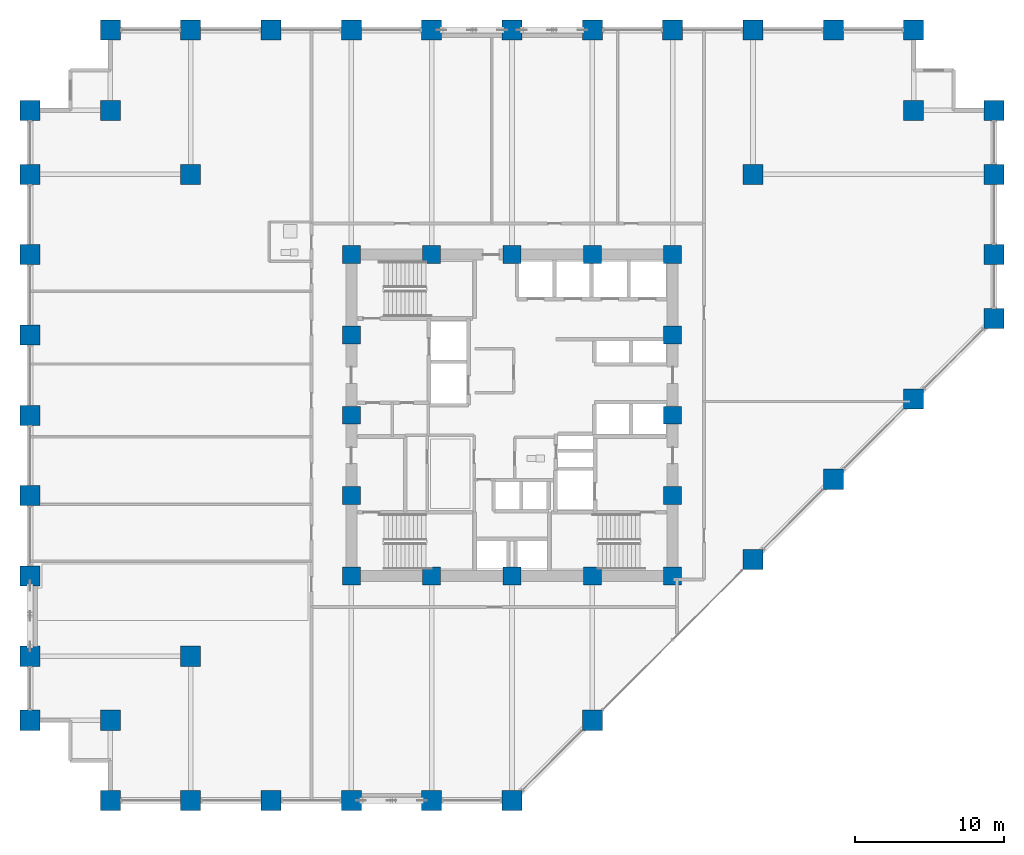
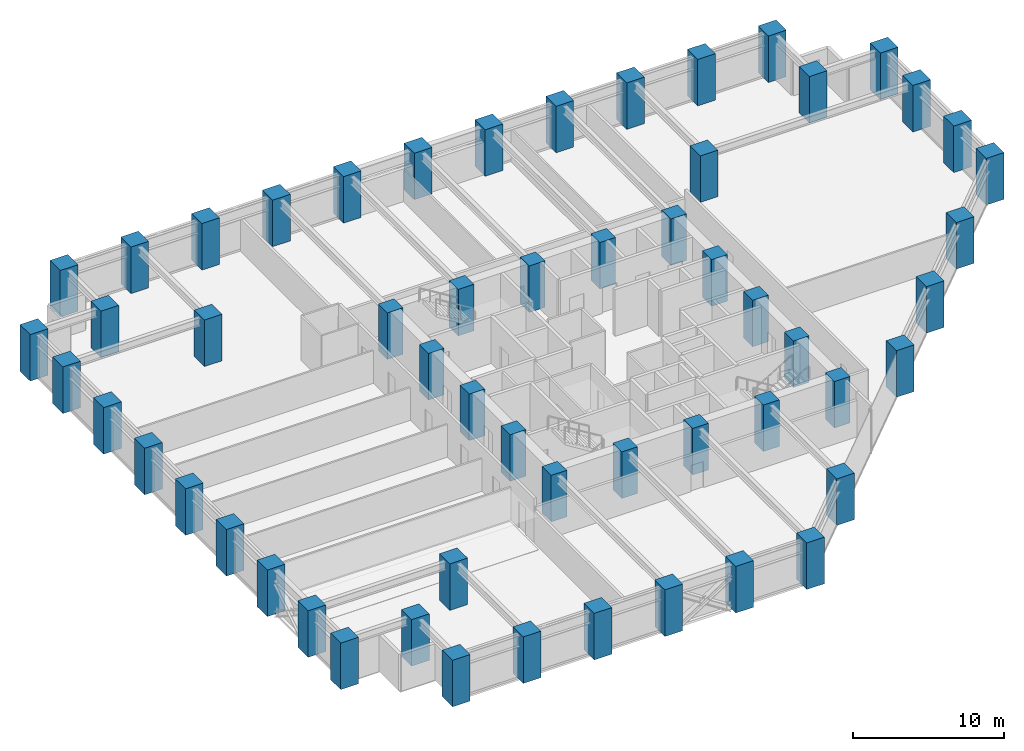
# One storey, part 1 of 25: 56 columns.
"""IFC4 building model written with IfcOpenShell, lengths in metres."""

from ifc_helpers import new_model, si_unit, direction, frame, origin, origin_2d, place, context, subcontext, project, spatial, rectangle, extrude, material, material_profile, profile_set, type_object, element, save


model = new_model("IFC4")

# Units and contexts
model_context = context("Model", 3, precision=1e-05, world=origin(), true_north=direction((0.0, 1.0)))
body_context = subcontext(model_context, "Body", "Model", "MODEL_VIEW")
ifc_project = project(units=[si_unit("LENGTHUNIT", "METRE"), si_unit("AREAUNIT", "SQUARE_METRE"), si_unit("VOLUMEUNIT", "CUBIC_METRE"), si_unit("PLANEANGLEUNIT", "RADIAN"), si_unit("MASSUNIT", "GRAM", prefix="KILO")], contexts=[model_context])

# Site, building, storey
site_placement = place(None, origin())
site = spatial("IfcSite", under=ifc_project, at=site_placement, CompositionType="ELEMENT")
building_placement = place(site_placement, origin())
building = spatial("IfcBuilding", under=site, at=building_placement, Name="Surkhivell Harbour Commons", CompositionType="ELEMENT")
storey_placement = place(building_placement, frame((0.0, 0.0, 41.25)))
storey = spatial("IfcBuildingStorey", under=building, at=storey_placement, Name="L10", CompositionType="ELEMENT", Elevation=41.25)

# Columns
ifc_material = material(Name="Concrete C80/95", Category="concrete")
ifc_material_profile_1 = material_profile(ifc_material, rectangle(XDim=1.35009765625, YDim=1.35009765625, at=origin_2d()), Name="RC-COL-1350x1350")
ifc_profile_set_1 = profile_set([ifc_material_profile_1], Name="Concrete C80/95")
column_type_1 = type_object("IfcColumnType", Name="COL-TUBE-Z1A", PredefinedType="COLUMN", material=ifc_profile_set_1)
for number, where, z_axis, x_axis, name in (
    (1, (-32.39990234375, -20.5, 0.0), (0.0, 0.0, 1.0), (1.0, 0.0, 0.0), "L10 Column CT-1A (-32.4,-20.5)"),
    (2, (-32.39990234375, -16.199951171875, 0.0), (0.0, 0.0, 1.0), (1.0, 0.0, 0.0), "L10 Column CT-1A (-32.4,-16.2)"),
    (3, (-32.39990234375, -10.800048828125, 0.0), (0.0, 0.0, 1.0), (1.0, 0.0, 0.0), "L10 Column CT-1A (-32.4,-10.8)"),
    (4, (-32.39990234375, -5.39990234375, 0.0), (0.0, 0.0, 1.0), (1.0, 0.0, 0.0), "L10 Column CT-1A (-32.4,-5.4)"),
    (5, (-32.39990234375, 0.0, 0.0), (0.0, 0.0, 1.0), (1.0, 0.0, 0.0), "L10 Column CT-1A (-32.4,0.0)"),
    (6, (-32.39990234375, 5.39990234375, 0.0), (0.0, 0.0, 1.0), (1.0, 0.0, 0.0), "L10 Column CT-1A (-32.4,5.4)"),
    (7, (-32.39990234375, 10.800048828125, 0.0), (0.0, 0.0, 1.0), (1.0, 0.0, 0.0), "L10 Column CT-1A (-32.4,10.8)"),
    (8, (-32.39990234375, 16.199951171875, 0.0), (0.0, 0.0, 1.0), (1.0, 0.0, 0.0), "L10 Column CT-1A (-32.4,16.2)"),
    (9, (-32.39990234375, 20.5, 0.0), (0.0, 0.0, 1.0), (1.0, 0.0, 0.0), "L10 Column CT-1A (-32.4,20.5)"),
    (10, (-27.0, -25.89990234375, 0.0), (0.0, 0.0, 1.0), (1.0, 0.0, 0.0), "L10 Column CT-1A (-27.0,-25.9)"),
    (11, (-27.0, -20.5, 0.0), (0.0, 0.0, 1.0), (1.0, 0.0, 0.0), "L10 Column CT-1A (-27.0,-20.5)"),
    (12, (-27.0, 20.5, 0.0), (0.0, 0.0, 1.0), (1.0, 0.0, 0.0), "L10 Column CT-1A (-27.0,20.5)"),
    (13, (-27.0, 25.89990234375, 0.0), (0.0, 0.0, 1.0), (1.0, 0.0, 0.0), "L10 Column CT-1A (-27.0,25.9)"),
    (14, (-21.60009765625, -25.89990234375, 0.0), (0.0, 0.0, 1.0), (1.0, 0.0, 0.0), "L10 Column CT-1A (-21.6,-25.9)"),
    (15, (-21.60009765625, -16.199951171875, 0.0), (0.0, 0.0, 1.0), (1.0, 0.0, 0.0), "L10 Column CT-1A (-21.6,-16.2)"),
    (16, (-21.60009765625, 16.199951171875, 0.0), (0.0, 0.0, 1.0), (1.0, 0.0, 0.0), "L10 Column CT-1A (-21.6,16.2)"),
    (17, (-21.60009765625, 25.89990234375, 0.0), (0.0, 0.0, 1.0), (1.0, 0.0, 0.0), "L10 Column CT-1A (-21.6,25.9)"),
    (18, (-16.199951171875, -25.89990234375, 0.0), (0.0, 0.0, 1.0), (1.0, 0.0, 0.0), "L10 Column CT-1A (-16.2,-25.9)"),
    (19, (-16.199951171875, 25.89990234375, 0.0), (0.0, 0.0, 1.0), (1.0, 0.0, 0.0), "L10 Column CT-1A (-16.2,25.9)"),
    (20, (-10.800048828125, -25.89990234375, 0.0), (0.0, 0.0, 1.0), (1.0, 0.0, 0.0), "L10 Column CT-1A (-10.8,-25.9)"),
    (21, (-10.800048828125, 25.89990234375, 0.0), (0.0, 0.0, 1.0), (1.0, 0.0, 0.0), "L10 Column CT-1A (-10.8,25.9)"),
    (22, (-5.39990234375, -25.89990234375, 0.0), (0.0, 0.0, 1.0), (1.0, 0.0, 0.0), "L10 Column CT-1A (-5.4,-25.9)"),
    (23, (-5.39990234375, 25.89990234375, 0.0), (0.0, 0.0, 1.0), (1.0, 0.0, 0.0), "L10 Column CT-1A (-5.4,25.9)"),
    (24, (0.0, -25.89990234375, 0.0), (0.0, 0.0, 1.0), (1.0, 0.0, 0.0), "L10 Column CT-1A (-0.0,-25.9)"),
    (25, (0.0, 25.89990234375, 0.0), (0.0, 0.0, 1.0), (1.0, 0.0, 0.0), "L10 Column CT-1A (-0.0,25.9)"),
    (26, (5.39990234375, -20.5, 0.0), (0.0, 0.0, 1.0), (1.0, 0.0, 0.0), "L10 Column CT-1A (5.4,-20.5)"),
    (27, (5.39990234375, 25.89990234375, 0.0), (0.0, 0.0, 1.0), (1.0, 0.0, 0.0), "L10 Column CT-1A (5.4,25.9)"),
    (28, (10.800048828125, 25.89990234375, 0.0), (0.0, 0.0, 1.0), (1.0, 0.0, 0.0), "L10 Column CT-1A (10.8,25.9)"),
    (29, (16.199951171875, -9.699951171875, 0.0), (0.0, 0.0, 1.0), (1.0, 0.0, 0.0), "L10 Column CT-1A (16.2,-9.7)"),
    (30, (16.199951171875, 16.199951171875, 0.0), (0.0, 0.0, 1.0), (1.0, 0.0, 0.0), "L10 Column CT-1A (16.2,16.2)"),
    (31, (16.199951171875, 25.89990234375, 0.0), (0.0, 0.0, 1.0), (1.0, 0.0, 0.0), "L10 Column CT-1A (16.2,25.9)"),
    (32, (21.60009765625, -4.300048828125, 0.0), (0.0, 0.0, 1.0), (1.0, 0.0, 0.0), "L10 Column CT-1A (21.6,-4.3)"),
    (33, (21.60009765625, 25.89990234375, 0.0), (0.0, 0.0, 1.0), (1.0, 0.0, 0.0), "L10 Column CT-1A (21.6,25.9)"),
    (34, (27.0, 1.10009765625, 0.0), (0.0, 0.0, 1.0), (1.0, 0.0, 0.0), "L10 Column CT-1A (27.0,1.1)"),
    (35, (27.0, 20.5, 0.0), (0.0, 0.0, 1.0), (1.0, 0.0, 0.0), "L10 Column CT-1A (27.0,20.5)"),
    (36, (27.0, 25.89990234375, 0.0), (0.0, 0.0, 1.0), (1.0, 0.0, 0.0), "L10 Column CT-1A (27.0,25.9)"),
    (37, (32.39990234375, 6.5, 0.0), (0.0, 0.0, 1.0), (1.0, 0.0, 0.0), "L10 Column CT-1A (32.4,6.5)"),
    (38, (32.39990234375, 10.800048828125, 0.0), (0.0, 0.0, 1.0), (1.0, 0.0, 0.0), "L10 Column CT-1A (32.4,10.8)"),
    (39, (32.39990234375, 16.199951171875, 0.0), (0.0, 0.0, 1.0), (1.0, 0.0, 0.0), "L10 Column CT-1A (32.4,16.2)"),
    (40, (32.39990234375, 20.5, 0.0), (0.0, 0.0, 1.0), (1.0, 0.0, 0.0), "L10 Column CT-1A (32.4,20.5)"),
):
    element("IfcColumn", number, at=place(storey_placement, frame(where, z_axis=z_axis, x_axis=x_axis)), inside=storey, type_object=column_type_1, Name=name, PredefinedType="COLUMN", context=body_context, shape_type="SweptSolid", body=[
        extrude(rectangle(XDim=1.35009765625, YDim=1.35009765625, at=origin_2d()), origin(), (0.0, 0.0, 1.0), 3.75),
    ])
ifc_material_profile_2 = material_profile(ifc_material, rectangle(XDim=1.199951171875, YDim=1.199951171875, at=origin_2d()), Name="RC-COL-1200x1200")
ifc_profile_set_2 = profile_set([ifc_material_profile_2], Name="Concrete C80/95")
column_type_2 = type_object("IfcColumnType", Name="COL-TUBE-Z1B", PredefinedType="COLUMN", material=ifc_profile_set_2)
for number, where, z_axis, x_axis, name in (
    (41, (-10.800048828125, -10.800048828125, 0.0), (0.0, 0.0, 1.0), (1.0, 0.0, 0.0), "L10 Column CT-1B (-10.8,-10.8)"),
    (42, (-10.800048828125, -5.39990234375, 0.0), (0.0, 0.0, 1.0), (1.0, 0.0, 0.0), "L10 Column CT-1B (-10.8,-5.4)"),
    (43, (-10.800048828125, 0.0, 0.0), (0.0, 0.0, 1.0), (1.0, 0.0, 0.0), "L10 Column CT-1B (-10.8,0.0)"),
    (44, (-10.800048828125, 5.39990234375, 0.0), (0.0, 0.0, 1.0), (1.0, 0.0, 0.0), "L10 Column CT-1B (-10.8,5.4)"),
    (45, (-10.800048828125, 10.800048828125, 0.0), (0.0, 0.0, 1.0), (1.0, 0.0, 0.0), "L10 Column CT-1B (-10.8,10.8)"),
    (46, (-5.39990234375, -10.800048828125, 0.0), (0.0, 0.0, 1.0), (1.0, 0.0, 0.0), "L10 Column CT-1B (-5.4,-10.8)"),
    (47, (-5.39990234375, 10.800048828125, 0.0), (0.0, 0.0, 1.0), (1.0, 0.0, 0.0), "L10 Column CT-1B (-5.4,10.8)"),
    (48, (0.0, -10.800048828125, 0.0), (0.0, 0.0, 1.0), (1.0, 0.0, 0.0), "L10 Column CT-1B (0.0,-10.8)"),
    (49, (0.0, 10.800048828125, 0.0), (0.0, 0.0, 1.0), (1.0, 0.0, 0.0), "L10 Column CT-1B (0.0,10.8)"),
    (50, (5.39990234375, -10.800048828125, 0.0), (0.0, 0.0, 1.0), (1.0, 0.0, 0.0), "L10 Column CT-1B (5.4,-10.8)"),
    (51, (5.39990234375, 10.800048828125, 0.0), (0.0, 0.0, 1.0), (1.0, 0.0, 0.0), "L10 Column CT-1B (5.4,10.8)"),
    (52, (10.800048828125, -10.800048828125, 0.0), (0.0, 0.0, 1.0), (1.0, 0.0, 0.0), "L10 Column CT-1B (10.8,-10.8)"),
    (53, (10.800048828125, -5.39990234375, 0.0), (0.0, 0.0, 1.0), (1.0, 0.0, 0.0), "L10 Column CT-1B (10.8,-5.4)"),
    (54, (10.800048828125, 0.0, 0.0), (0.0, 0.0, 1.0), (1.0, 0.0, 0.0), "L10 Column CT-1B (10.8,0.0)"),
    (55, (10.800048828125, 5.39990234375, 0.0), (0.0, 0.0, 1.0), (1.0, 0.0, 0.0), "L10 Column CT-1B (10.8,5.4)"),
    (56, (10.800048828125, 10.800048828125, 0.0), (0.0, 0.0, 1.0), (1.0, 0.0, 0.0), "L10 Column CT-1B (10.8,10.8)"),
):
    element("IfcColumn", number, at=place(storey_placement, frame(where, z_axis=z_axis, x_axis=x_axis)), inside=storey, type_object=column_type_2, Name=name, PredefinedType="COLUMN", context=body_context, shape_type="SweptSolid", body=[
        extrude(rectangle(XDim=1.199951171875, YDim=1.199951171875, at=origin_2d()), origin(), (0.0, 0.0, 1.0), 3.75),
    ])

save(model, "model.ifc")
